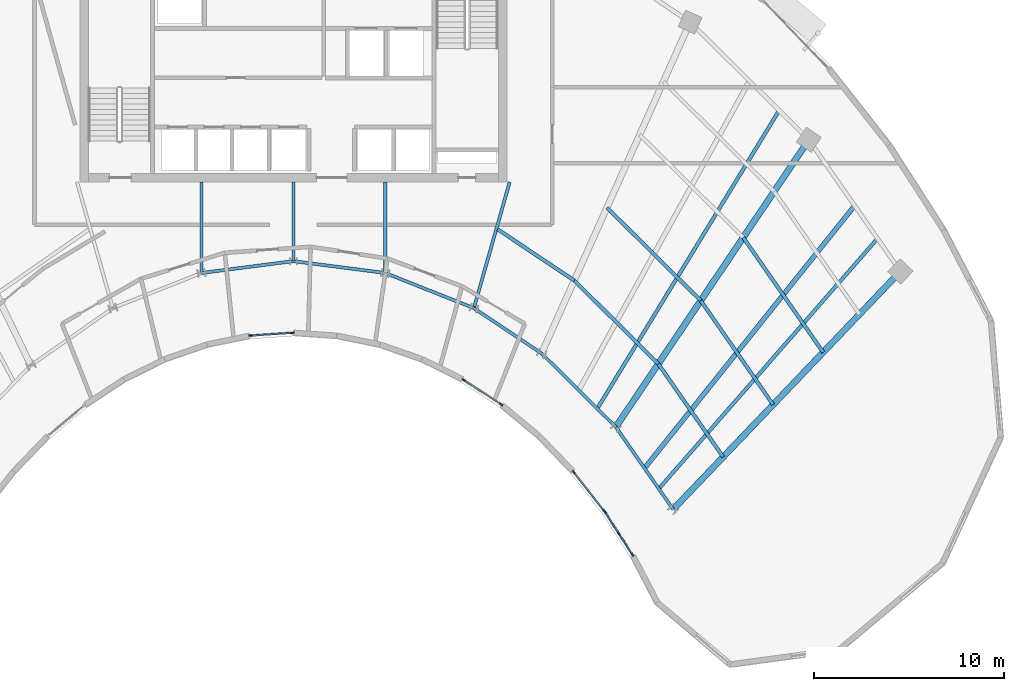
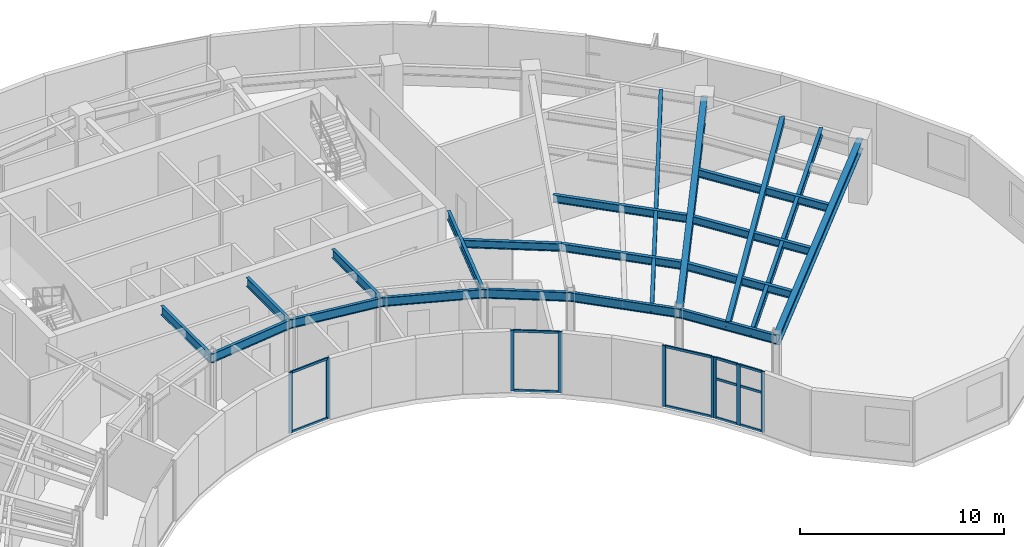
# One storey, part 3 of 13: 21 beams, 21 members, 4 elements without a shape of their own.
"""IFC4 building model written with IfcOpenShell, lengths in metres."""

from ifc_helpers import new_model, si_unit, direction, frame, origin, origin_2d, place, context, subcontext, project, spatial, rectangle, hollow_rectangle, i_section, extrude, source, transform, mapped, material, layer, layer_set, material_profile, profile_set, type_object, type_shapes, element, aggregate, save


model = new_model("IFC4")

# Units and contexts
model_context = context("Model", 3, precision=1e-05, world=origin(), true_north=direction((0.0, 1.0)))
body_context = subcontext(model_context, "Body", "Model", "MODEL_VIEW")
ifc_project = project(units=[si_unit("LENGTHUNIT", "METRE"), si_unit("AREAUNIT", "SQUARE_METRE"), si_unit("VOLUMEUNIT", "CUBIC_METRE"), si_unit("PLANEANGLEUNIT", "RADIAN"), si_unit("MASSUNIT", "GRAM", prefix="KILO")], contexts=[model_context])

# Site, building, storey
site_placement = place(None, origin())
site = spatial("IfcSite", under=ifc_project, at=site_placement, CompositionType="ELEMENT")
building_placement = place(site_placement, origin())
building = spatial("IfcBuilding", under=site, at=building_placement, Name="Breltana Convention Tower", CompositionType="ELEMENT")
storey_placement = place(building_placement, frame((0.0, 0.0, 223.5)))
storey = spatial("IfcBuildingStorey", under=building, at=storey_placement, Name="L54", CompositionType="ELEMENT", Elevation=223.5)

# Beams
ifc_material_1 = material(Name="Steel ASTM A992 Grade 50", Category="steel")
ifc_material_profile_1 = material_profile(ifc_material_1, i_section(OverallWidth=0.19091796875, OverallDepth=0.4599609375, WebThickness=0.010009765625, FlangeThickness=0.01611328125, at=origin_2d()), Name="W18X55")
ifc_profile_set_1 = profile_set([ifc_material_profile_1], Name="Steel ASTM A992 Grade 50")
beam_type_1 = type_object("IfcBeamType", Name="BM-JSG-07", PredefinedType="JOIST", material=ifc_profile_set_1)
shared_shape_1 = source(origin(), body_context, "Body", "SweptSolid", [
    extrude(i_section(OverallWidth=0.19091796875, OverallDepth=0.4599609375, WebThickness=0.010009765625, FlangeThickness=0.01611328125, at=origin_2d()), origin(), (0.0, 0.0, 1.0), 4.854736328125),
])
beam_1_placement = place(storey_placement, frame((58.767578125, 57.71240234375, 3.409912109375), z_axis=(0.831485074305, -0.555547091801, 0.0), x_axis=(0.555547091801, 0.831485074305, 0.0)))
element("IfcBeam", 1, at=beam_1_placement, inside=storey, type_object=beam_type_1, Name="L54 Composite Floor Joist 08.1", PredefinedType="JOIST", context=body_context, shape_type="MappedRepresentation", body=[
    mapped(shared_shape_1, transform((0.0, 0.0, 0.0), scale=1.0)),
])
shared_shape_2 = source(origin(), body_context, "Body", "SweptSolid", [
    extrude(i_section(OverallWidth=0.19091796875, OverallDepth=0.4599609375, WebThickness=0.010009765625, FlangeThickness=0.01611328125, at=origin_2d()), origin(), (0.0, 0.0, 1.0), 6.2373046875),
])
beam_2_placement = place(storey_placement, frame((62.80419921875, 55.015380859375, 3.409912109375), z_axis=(0.710114292485, -0.704086423394, 0.0), x_axis=(0.704086423394, 0.710114292485, 0.0)))
element("IfcBeam", 2, at=beam_2_placement, inside=storey, type_object=beam_type_1, Name="L54 Composite Floor Joist 09.1", PredefinedType="JOIST", context=body_context, shape_type="MappedRepresentation", body=[
    mapped(shared_shape_2, transform((0.0, 0.0, 0.0), scale=1.0)),
])
shared_shape_3 = source(origin(), body_context, "Body", "SweptSolid", [
    extrude(i_section(OverallWidth=0.19091796875, OverallDepth=0.4599609375, WebThickness=0.010009765625, FlangeThickness=0.01611328125, at=origin_2d()), origin(), (0.0, 0.0, 1.0), 6.963134765625),
])
beam_3_placement = place(storey_placement, frame((64.526611328125, 58.8564453125, 3.409912109375), z_axis=(0.71009817493, -0.704102678564, 0.0), x_axis=(0.704102678564, 0.71009817493, 0.0)))
element("IfcBeam", 3, at=beam_3_placement, inside=storey, type_object=beam_type_1, Name="L54 Composite Floor Joist 09.2", PredefinedType="JOIST", context=body_context, shape_type="MappedRepresentation", body=[
    mapped(shared_shape_3, transform((0.0, 0.0, 0.0), scale=1.0)),
])
shared_shape_4 = source(origin(), body_context, "Body", "SweptSolid", [
    extrude(i_section(OverallWidth=0.19091796875, OverallDepth=0.4599609375, WebThickness=0.010009765625, FlangeThickness=0.01611328125, at=origin_2d()), origin(), (0.0, 0.0, 1.0), 18.409423828125),
])
beam_4_placement = place(storey_placement, frame((64.017333984375, 48.263916015625, 3.409912109375), z_axis=(0.520682167606, 0.853750596098, 0.0), x_axis=(-0.853750596098, 0.520682167606, 0.0)))
element("IfcBeam", 4, at=beam_4_placement, inside=storey, type_object=beam_type_1, Name="L54 Quarter-Bay Radial Trimmer 09", PredefinedType="JOIST", context=body_context, shape_type="MappedRepresentation", body=[
    mapped(shared_shape_4, transform((0.0, 0.0, 0.0), scale=1.0)),
])
shared_shape_5 = source(origin(), body_context, "Body", "SweptSolid", [
    extrude(i_section(OverallWidth=0.19091796875, OverallDepth=0.4599609375, WebThickness=0.010009765625, FlangeThickness=0.01611328125, at=origin_2d()), origin(), (0.0, 0.0, 1.0), 5.982421875),
])
beam_5_placement = place(storey_placement, frame((67.2333984375, 50.623779296875, 3.409912109375), z_axis=(0.571211549446, -0.82080287876, 0.0), x_axis=(0.82080287876, 0.571211549446, 0.0)))
element("IfcBeam", 5, at=beam_5_placement, inside=storey, type_object=beam_type_1, Name="L54 Composite Floor Joist 10.1", PredefinedType="JOIST", context=body_context, shape_type="MappedRepresentation", body=[
    mapped(shared_shape_5, transform((0.0, 0.0, 0.0), scale=1.0)),
])
shared_shape_6 = source(origin(), body_context, "Body", "SweptSolid", [
    extrude(i_section(OverallWidth=0.19091796875, OverallDepth=0.4599609375, WebThickness=0.010009765625, FlangeThickness=0.01611328125, at=origin_2d()), origin(), (0.0, 0.0, 1.0), 6.677978515625),
])
beam_6_placement = place(storey_placement, frame((69.47119140625, 53.95361328125, 3.409912109375), z_axis=(0.571193018768, -0.820815774282, 0.0), x_axis=(0.820815774282, 0.571193018768, 0.0)))
element("IfcBeam", 6, at=beam_6_placement, inside=storey, type_object=beam_type_1, Name="L54 Composite Floor Joist 10.2", PredefinedType="JOIST", context=body_context, shape_type="MappedRepresentation", body=[
    mapped(shared_shape_6, transform((0.0, 0.0, 0.0), scale=1.0)),
])
shared_shape_7 = source(origin(), body_context, "Body", "SweptSolid", [
    extrude(i_section(OverallWidth=0.19091796875, OverallDepth=0.4599609375, WebThickness=0.010009765625, FlangeThickness=0.01611328125, at=origin_2d()), origin(), (0.0, 0.0, 1.0), 7.374267578125),
])
beam_7_placement = place(storey_placement, frame((71.70849609375, 57.28369140625, 3.409912109375), z_axis=(0.571229379406, -0.820790470281, 0.0), x_axis=(0.820790470281, 0.571229379406, 0.0)))
element("IfcBeam", 7, at=beam_7_placement, inside=storey, type_object=beam_type_1, Name="L54 Composite Floor Joist 10.3", PredefinedType="JOIST", context=body_context, shape_type="MappedRepresentation", body=[
    mapped(shared_shape_7, transform((0.0, 0.0, 0.0), scale=1.0)),
])
ifc_material_profile_2 = material_profile(ifc_material_1, hollow_rectangle(XDim=0.25, YDim=0.35009765625, WallThickness=0.011962890625, at=origin_2d()), Name="RHS350X250X12")
ifc_profile_set_2 = profile_set([ifc_material_profile_2], Name="Steel ASTM A992 Grade 50")
beam_type_2 = type_object("IfcBeamType", Name="BM-JSG-12", PredefinedType="JOIST", material=ifc_profile_set_2)
shared_shape_8 = source(origin(), body_context, "Body", "SweptSolid", [
    extrude(hollow_rectangle(XDim=0.25, YDim=0.35009765625, WallThickness=0.011962890625, at=origin_2d()), origin(), (0.0, 0.0, 1.0), 17.7236328125),
])
beam_8_placement = place(storey_placement, frame((66.505615234375, 45.124267578125, 3.465087890625), z_axis=(0.624829427563, 0.78076128647, 0.0), x_axis=(-0.78076128647, 0.624829427563, 0.0)))
element("IfcBeam", 8, at=beam_8_placement, inside=storey, type_object=beam_type_2, Name="L54 Mid-Bay Radial Trimmer 10", PredefinedType="JOIST", context=body_context, shape_type="MappedRepresentation", body=[
    mapped(shared_shape_8, transform((0.0, 0.0, 0.0), scale=1.0)),
])
shared_shape_9 = source(origin(), body_context, "Body", "SweptSolid", [
    extrude(i_section(OverallWidth=0.19091796875, OverallDepth=0.4599609375, WebThickness=0.010009765625, FlangeThickness=0.01611328125, at=origin_2d()), origin(), (0.0, 0.0, 1.0), 17.515625),
])
beam_9_placement = place(storey_placement, frame((67.260498046875, 44.03955078125, 3.409912109375), z_axis=(0.658051548324, 0.752972881151, 0.0), x_axis=(-0.752972881151, 0.658051548324, 0.0)))
element("IfcBeam", 9, at=beam_9_placement, inside=storey, type_object=beam_type_1, Name="L54 Quarter-Bay Radial Trimmer 10", PredefinedType="JOIST", context=body_context, shape_type="MappedRepresentation", body=[
    mapped(shared_shape_9, transform((0.0, 0.0, 0.0), scale=1.0)),
])
ifc_material_profile_3 = material_profile(ifc_material_1, i_section(OverallWidth=0.166015625, OverallDepth=0.534912109375, WebThickness=0.01025390625, FlangeThickness=0.0166015625, at=origin_2d()), Name="W21X57")
ifc_profile_set_3 = profile_set([ifc_material_profile_3], Name="Steel ASTM A992 Grade 50")
beam_type_3 = type_object("IfcBeamType", Name="BM-BM-W21X57", PredefinedType="BEAM", material=ifc_profile_set_3)
shared_shape_10 = source(origin(), body_context, "Body", "SweptSolid", [
    extrude(i_section(OverallWidth=0.166015625, OverallDepth=0.534912109375, WebThickness=0.01025390625, FlangeThickness=0.0166015625, at=origin_2d()), origin(), (0.0, 0.0, 1.0), 6.904541015625),
])
type_shapes(beam_type_3, [shared_shape_10])
beam_10_placement = place(storey_placement, frame((59.39990234375, 60.199951171875, 3.37255859375), z_axis=(-0.273006781054, -0.962012108811, 0.0), x_axis=(0.962012108811, -0.273006781054, 0.0)))
element("IfcBeam", 10, at=beam_10_placement, inside=storey, type_object=beam_type_3, Name="L54 South Core Tie Girder R08", PredefinedType="BEAM", context=body_context, shape_type="MappedRepresentation", body=[
    mapped(shared_shape_10, transform((0.0, 0.0, 0.0), scale=1.0)),
])
shared_shape_11 = source(origin(), body_context, "Body", "SweptSolid", [
    extrude(i_section(OverallWidth=0.166015625, OverallDepth=0.534912109375, WebThickness=0.01025390625, FlangeThickness=0.0166015625, at=origin_2d()), origin(), (0.0, 0.0, 1.0), 4.789306640625),
])
for number, where, z_axis, x_axis, name in (
    (11, (43.153564453125, 60.199951171875, 3.37255859375), (0.0, -1.0, 0.0), (1.0, 0.0, 0.0), "L54 South Core Tie Girder R05"),
    (12, (52.846435546875, 60.199951171875, 3.37255859375), (0.0, -1.0, 0.0), (1.0, 0.0, 0.0), "L54 South Core Tie Girder R07"),
):
    element("IfcBeam", number, at=place(storey_placement, frame(where, z_axis=z_axis, x_axis=x_axis)), inside=storey, type_object=beam_type_3, Name=name, PredefinedType="BEAM", context=body_context, shape_type="MappedRepresentation", body=[
        mapped(shared_shape_11, transform((0.0, 0.0, 0.0), scale=1.0)),
    ])
shared_shape_12 = source(origin(), body_context, "Body", "SweptSolid", [
    extrude(i_section(OverallWidth=0.166015625, OverallDepth=0.534912109375, WebThickness=0.01025390625, FlangeThickness=0.0166015625, at=origin_2d()), origin(), (0.0, 0.0, 1.0), 4.1640625),
])
beam_11_placement = place(storey_placement, frame((48.0, 60.199951171875, 3.37255859375), z_axis=(0.0, -1.0, 0.0), x_axis=(1.0, 0.0, 0.0)))
element("IfcBeam", 13, at=beam_11_placement, inside=storey, type_object=beam_type_3, Name="L54 South Core Tie Girder R06", PredefinedType="BEAM", context=body_context, shape_type="MappedRepresentation", body=[
    mapped(shared_shape_12, transform((0.0, 0.0, 0.0), scale=1.0)),
])
shared_shape_13 = source(origin(), body_context, "Body", "SweptSolid", [
    extrude(i_section(OverallWidth=0.166015625, OverallDepth=0.534912109375, WebThickness=0.01025390625, FlangeThickness=0.0166015625, at=origin_2d()), origin(), (0.0, 0.0, 1.0), 5.022705078125),
])
beam_12_placement = place(storey_placement, frame((52.846435546875, 55.41064453125, 3.37255859375), z_axis=(0.929458966248, -0.368925507469, 0.0), x_axis=(0.368925507469, 0.929458966248, 0.0)))
element("IfcBeam", 14, at=beam_12_placement, inside=storey, type_object=beam_type_3, Name="L54 Inner Ring Beam 07", PredefinedType="BEAM", context=body_context, shape_type="MappedRepresentation", body=[
    mapped(shared_shape_13, transform((0.0, 0.0, 0.0), scale=1.0)),
])
shared_shape_14 = source(origin(), body_context, "Body", "SweptSolid", [
    extrude(i_section(OverallWidth=0.166015625, OverallDepth=0.534912109375, WebThickness=0.01025390625, FlangeThickness=0.0166015625, at=origin_2d()), origin(), (0.0, 0.0, 1.0), 4.88671875),
])
for number, where, z_axis, x_axis, name in (
    (15, (43.153564453125, 55.41064453125, 3.37255859375), (0.991780525565, 0.127950729231, 0.0), (-0.127950729231, 0.991780525565, 0.0), "L54 Inner Ring Beam 05"),
    (16, (48.0, 56.035888671875, 3.37255859375), (0.991780525565, -0.127950729231, 0.0), (0.127950729231, 0.991780525565, 0.0), "L54 Inner Ring Beam 06"),
):
    element("IfcBeam", number, at=place(storey_placement, frame(where, z_axis=z_axis, x_axis=x_axis)), inside=storey, type_object=beam_type_3, Name=name, PredefinedType="BEAM", context=body_context, shape_type="MappedRepresentation", body=[
        mapped(shared_shape_14, transform((0.0, 0.0, 0.0), scale=1.0)),
    ])
shared_shape_15 = source(origin(), body_context, "Body", "SweptSolid", [
    extrude(i_section(OverallWidth=0.166015625, OverallDepth=0.534912109375, WebThickness=0.01025390625, FlangeThickness=0.0166015625, at=origin_2d()), origin(), (0.0, 0.0, 1.0), 4.2900390625),
])
beam_13_placement = place(storey_placement, frame((57.514892578125, 53.5576171875, 3.37255859375), z_axis=(0.831515827753, -0.555501060482, 0.0), x_axis=(0.555501060482, 0.831515827753, 0.0)))
element("IfcBeam", 17, at=beam_13_placement, inside=storey, type_object=beam_type_3, Name="L54 Inner Ring Beam 08", PredefinedType="BEAM", context=body_context, shape_type="MappedRepresentation", body=[
    mapped(shared_shape_15, transform((0.0, 0.0, 0.0), scale=1.0)),
])
shared_shape_16 = source(origin(), body_context, "Body", "SweptSolid", [
    extrude(i_section(OverallWidth=0.166015625, OverallDepth=0.534912109375, WebThickness=0.01025390625, FlangeThickness=0.0166015625, at=origin_2d()), origin(), (0.0, 0.0, 1.0), 5.51171875),
])
beam_14_placement = place(storey_placement, frame((61.08203125, 51.174560546875, 3.37255859375), z_axis=(0.710090360749, -0.704110559196, 0.0), x_axis=(0.704110559196, 0.710090360749, 0.0)))
element("IfcBeam", 18, at=beam_14_placement, inside=storey, type_object=beam_type_3, Name="L54 Inner Ring Beam 09", PredefinedType="BEAM", context=body_context, shape_type="MappedRepresentation", body=[
    mapped(shared_shape_16, transform((0.0, 0.0, 0.0), scale=1.0)),
])
shared_shape_17 = source(origin(), body_context, "Body", "SweptSolid", [
    extrude(i_section(OverallWidth=0.166015625, OverallDepth=0.534912109375, WebThickness=0.01025390625, FlangeThickness=0.0166015625, at=origin_2d()), origin(), (0.0, 0.0, 1.0), 5.286376953125),
])
beam_15_placement = place(storey_placement, frame((64.995849609375, 47.293701171875, 3.37255859375), z_axis=(0.571194382458, -0.82081482531, 0.0), x_axis=(0.82081482531, 0.571194382458, 0.0)))
element("IfcBeam", 19, at=beam_15_placement, inside=storey, type_object=beam_type_3, Name="L54 Inner Ring Beam 10", PredefinedType="BEAM", context=body_context, shape_type="MappedRepresentation", body=[
    mapped(shared_shape_17, transform((0.0, 0.0, 0.0), scale=1.0)),
])
ifc_material_profile_4 = material_profile(ifc_material_1, i_section(OverallWidth=0.326904296875, OverallDepth=0.6220703125, WebThickness=0.015380859375, FlangeThickness=0.0244140625, at=origin_2d()), Name="W24X131")
ifc_profile_set_4 = profile_set([ifc_material_profile_4], Name="Steel ASTM A992 Grade 50")
beam_type_4 = type_object("IfcBeamType", Name="BM-RG-W24X131", PredefinedType="USERDEFINED", material=ifc_profile_set_4)
shared_shape_18 = source(origin(), body_context, "Body", "SweptSolid", [
    extrude(i_section(OverallWidth=0.326904296875, OverallDepth=0.6220703125, WebThickness=0.015380859375, FlangeThickness=0.0244140625, at=origin_2d()), origin(), (0.0, 0.0, 1.0), 17.341064453125),
])
type_shapes(beam_type_4, [shared_shape_18])
beam_16_placement = place(storey_placement, frame((68.015380859375, 42.95458984375, 3.3291015625), z_axis=(0.690716462293, 0.723125693581, 0.0), x_axis=(-0.723125693581, 0.690716462293, 0.0)))
element("IfcBeam", 20, at=beam_16_placement, inside=storey, type_object=beam_type_4, Name="L54 Radial Floor Girder R11", ObjectType="GIRDER", PredefinedType="USERDEFINED", context=body_context, shape_type="MappedRepresentation", body=[
    mapped(shared_shape_18, transform((0.0, 0.0, 0.0), scale=1.0)),
])
shared_shape_19 = source(origin(), body_context, "Body", "SweptSolid", [
    extrude(i_section(OverallWidth=0.326904296875, OverallDepth=0.6220703125, WebThickness=0.015380859375, FlangeThickness=0.0244140625, at=origin_2d()), origin(), (0.0, 0.0, 1.0), 18.236328125),
])
beam_17_placement = place(storey_placement, frame((64.995849609375, 47.293701171875, 3.3291015625), z_axis=(0.557730360975, 0.830022195153, 0.0), x_axis=(-0.830022195153, 0.557730360975, 0.0)))
element("IfcBeam", 21, at=beam_17_placement, inside=storey, type_object=beam_type_4, Name="L54 Radial Floor Girder R10", ObjectType="GIRDER", PredefinedType="USERDEFINED", context=body_context, shape_type="MappedRepresentation", body=[
    mapped(shared_shape_19, transform((0.0, 0.0, 0.0), scale=1.0)),
])

# Curtain wall, members
ifc_material_2 = material(Name="Aluminium Anodised Bronze Frame", Category="aluminium")
ifc_layer = layer(ifc_material_2, 0.18994140625, Name="Aluminium Anodised Bronze Frame")
ifc_layer_set = layer_set([ifc_layer], Name="Aluminium Anodised Bronze Frame")
curtain_wall_type = type_object("IfcCurtainWallType", Name="CW-SYS-1", PredefinedType="NOTDEFINED", material=ifc_layer_set)
curtain_wall_1_placement = place(storey_placement, origin())
curtain_wall_1 = element("IfcCurtainWall", 22, at=curtain_wall_1_placement, inside=storey, type_object=curtain_wall_type, Name="L54 inner south-court glazing 1", PredefinedType="NOTDEFINED")
ifc_material_3 = material(Name="Aluminium Anodised Bronze", Category="aluminium")
ifc_material_profile_5 = material_profile(ifc_material_3, rectangle(XDim=0.080078125, YDim=0.139892578125, at=origin_2d()), Name="CWT-80X140")
ifc_profile_set_5 = profile_set([ifc_material_profile_5], Name="Aluminium Anodised Bronze")
member_type_1 = type_object("IfcMemberType", Name="CWT-140", PredefinedType="USERDEFINED", material=ifc_profile_set_5)
shared_shape_20 = source(origin(), body_context, "Body", "SweptSolid", [
    extrude(rectangle(XDim=0.080078125, YDim=0.139892578125, at=origin_2d()), origin(), (0.0, 0.0, 1.0), 1.251220703125),
])
member_1_placement = place(storey_placement, frame((65.84716796875, 40.6025390625, 0.0400390625), z_axis=(-0.540116397582, 0.841590326146, 0.0), x_axis=(-0.841590326146, -0.540116397582, 0.0)))
member_1 = element("IfcMember", 23, at=member_1_placement, type_object=member_type_1, Name="CW-01 transom 1.1", ObjectType="TRANSOM", PredefinedType="USERDEFINED", context=body_context, shape_type="MappedRepresentation", body=[
    mapped(shared_shape_20, transform((0.0, 0.0, 0.0), scale=1.0)),
])
member_2_placement = place(storey_placement, frame((65.84716796875, 40.6025390625, 2.365966796875), z_axis=(-0.540116397582, 0.841590326146, 0.0), x_axis=(-0.841590326146, -0.540116397582, 0.0)))
member_2 = element("IfcMember", 24, at=member_2_placement, type_object=member_type_1, Name="CW-01 transom 1.2", ObjectType="TRANSOM", PredefinedType="USERDEFINED", context=body_context, shape_type="MappedRepresentation", body=[
    mapped(shared_shape_20, transform((0.0, 0.0, 0.0), scale=1.0)),
])
member_3_placement = place(storey_placement, frame((65.84716796875, 40.6025390625, 3.60009765625), z_axis=(-0.540116397582, 0.841590326146, 0.0), x_axis=(-0.841590326146, -0.540116397582, 0.0)))
member_3 = element("IfcMember", 25, at=member_3_placement, type_object=member_type_1, Name="CW-01 transom 1.3", ObjectType="TRANSOM", PredefinedType="USERDEFINED", context=body_context, shape_type="MappedRepresentation", body=[
    mapped(shared_shape_20, transform((0.0, 0.0, 0.0), scale=1.0)),
])
shared_shape_21 = source(origin(), body_context, "Body", "SweptSolid", [
    extrude(rectangle(XDim=0.080078125, YDim=0.139892578125, at=origin_2d()), origin(), (0.0, 0.0, 1.0), 1.2509765625),
])
member_4_placement = place(storey_placement, frame((65.128173828125, 41.722900390625, 0.0400390625), z_axis=(-0.54020510624, 0.841533388044, 0.0), x_axis=(-0.841533388044, -0.54020510624, 0.0)))
member_4 = element("IfcMember", 26, at=member_4_placement, type_object=member_type_1, Name="CW-01 transom 2.1", ObjectType="TRANSOM", PredefinedType="USERDEFINED", context=body_context, shape_type="MappedRepresentation", body=[
    mapped(shared_shape_21, transform((0.0, 0.0, 0.0), scale=1.0)),
])
member_5_placement = place(storey_placement, frame((65.128173828125, 41.722900390625, 2.365966796875), z_axis=(-0.54020510624, 0.841533388044, 0.0), x_axis=(-0.841533388044, -0.54020510624, 0.0)))
member_5 = element("IfcMember", 27, at=member_5_placement, type_object=member_type_1, Name="CW-01 transom 2.2", ObjectType="TRANSOM", PredefinedType="USERDEFINED", context=body_context, shape_type="MappedRepresentation", body=[
    mapped(shared_shape_21, transform((0.0, 0.0, 0.0), scale=1.0)),
])
member_6_placement = place(storey_placement, frame((65.128173828125, 41.722900390625, 3.60009765625), z_axis=(-0.54020510624, 0.841533388044, 0.0), x_axis=(-0.841533388044, -0.54020510624, 0.0)))
member_6 = element("IfcMember", 28, at=member_6_placement, type_object=member_type_1, Name="CW-01 transom 2.3", ObjectType="TRANSOM", PredefinedType="USERDEFINED", context=body_context, shape_type="MappedRepresentation", body=[
    mapped(shared_shape_21, transform((0.0, 0.0, 0.0), scale=1.0)),
])

curtain_wall_2_placement = place(storey_placement, origin())
curtain_wall_2 = element("IfcCurtainWall", 29, at=curtain_wall_2_placement, inside=storey, type_object=curtain_wall_type, Name="L54 inner south-court glazing 2", PredefinedType="NOTDEFINED")
shared_shape_22 = source(origin(), body_context, "Body", "SweptSolid", [
    extrude(rectangle(XDim=0.080078125, YDim=0.139892578125, at=origin_2d()), origin(), (0.0, 0.0, 1.0), 2.505859375),
])
member_7_placement = place(storey_placement, frame((64.349853515625, 42.919921875, 0.0400390625), z_axis=(-0.618174316854, 0.786041038357, 0.0), x_axis=(-0.786041038357, -0.618174316854, 0.0)))
member_7 = element("IfcMember", 30, at=member_7_placement, type_object=member_type_1, Name="CW-01 transom 1.1", ObjectType="TRANSOM", PredefinedType="USERDEFINED", context=body_context, shape_type="MappedRepresentation", body=[
    mapped(shared_shape_22, transform((0.0, 0.0, 0.0), scale=1.0)),
])
member_8_placement = place(storey_placement, frame((64.349853515625, 42.919921875, 3.60009765625), z_axis=(-0.618174316854, 0.786041038357, 0.0), x_axis=(-0.786041038357, -0.618174316854, 0.0)))
member_8 = element("IfcMember", 31, at=member_8_placement, type_object=member_type_1, Name="CW-01 transom 1.2", ObjectType="TRANSOM", PredefinedType="USERDEFINED", context=body_context, shape_type="MappedRepresentation", body=[
    mapped(shared_shape_22, transform((0.0, 0.0, 0.0), scale=1.0)),
])

curtain_wall_3_placement = place(storey_placement, origin())
curtain_wall_3 = element("IfcCurtainWall", 32, at=curtain_wall_3_placement, inside=storey, type_object=curtain_wall_type, Name="L54 inner south-court glazing 3", PredefinedType="NOTDEFINED")
shared_shape_23 = source(origin(), body_context, "Body", "SweptSolid", [
    extrude(rectangle(XDim=0.080078125, YDim=0.139892578125, at=origin_2d()), origin(), (0.0, 0.0, 1.0), 2.2802734375),
])
member_9_placement = place(storey_placement, frame((58.916015625, 48.505615234375, 0.0400390625), z_axis=(-0.835998794371, 0.548731278324, 0.0), x_axis=(-0.548731278324, -0.835998794371, 0.0)))
member_9 = element("IfcMember", 33, at=member_9_placement, type_object=member_type_1, Name="CW-01 transom 1.1", ObjectType="TRANSOM", PredefinedType="USERDEFINED", context=body_context, shape_type="MappedRepresentation", body=[
    mapped(shared_shape_23, transform((0.0, 0.0, 0.0), scale=1.0)),
])
member_10_placement = place(storey_placement, frame((58.916015625, 48.505615234375, 3.60009765625), z_axis=(-0.835998794371, 0.548731278324, 0.0), x_axis=(-0.548731278324, -0.835998794371, 0.0)))
member_10 = element("IfcMember", 34, at=member_10_placement, type_object=member_type_1, Name="CW-01 transom 1.2", ObjectType="TRANSOM", PredefinedType="USERDEFINED", context=body_context, shape_type="MappedRepresentation", body=[
    mapped(shared_shape_23, transform((0.0, 0.0, 0.0), scale=1.0)),
])

curtain_wall_4_placement = place(storey_placement, origin())
curtain_wall_4 = element("IfcCurtainWall", 35, at=curtain_wall_4_placement, inside=storey, type_object=curtain_wall_type, Name="L54 inner south-court glazing 4", PredefinedType="NOTDEFINED")
shared_shape_24 = source(origin(), body_context, "Body", "SweptSolid", [
    extrude(rectangle(XDim=0.080078125, YDim=0.139892578125, at=origin_2d()), origin(), (0.0, 0.0, 1.0), 2.114013671875),
])
member_11_placement = place(storey_placement, frame((47.907958984375, 52.257080078125, 0.0400390625), z_axis=(-0.997707323694, -0.067676408344, 0.0), x_axis=(0.067676408344, -0.997707323694, 0.0)))
member_11 = element("IfcMember", 36, at=member_11_placement, type_object=member_type_1, Name="CW-01 transom 1.1", ObjectType="TRANSOM", PredefinedType="USERDEFINED", context=body_context, shape_type="MappedRepresentation", body=[
    mapped(shared_shape_24, transform((0.0, 0.0, 0.0), scale=1.0)),
])
member_12_placement = place(storey_placement, frame((47.907958984375, 52.257080078125, 3.60009765625), z_axis=(-0.997707323694, -0.067676408344, 0.0), x_axis=(0.067676408344, -0.997707323694, 0.0)))
member_12 = element("IfcMember", 37, at=member_12_placement, type_object=member_type_1, Name="CW-01 transom 1.2", ObjectType="TRANSOM", PredefinedType="USERDEFINED", context=body_context, shape_type="MappedRepresentation", body=[
    mapped(shared_shape_24, transform((0.0, 0.0, 0.0), scale=1.0)),
])

# Member
ifc_material_profile_6 = material_profile(ifc_material_3, rectangle(XDim=0.080078125, YDim=0.199951171875, at=origin_2d()), Name="CWM-80X200")
ifc_profile_set_6 = profile_set([ifc_material_profile_6], Name="Aluminium Anodised Bronze")
member_type_2 = type_object("IfcMemberType", Name="CWM-200", PredefinedType="MULLION", material=ifc_profile_set_6)
shared_shape_25 = source(origin(), body_context, "Body", "SweptSolid", [
    extrude(rectangle(XDim=0.080078125, YDim=0.199951171875, at=origin_2d()), origin(), (0.0, 0.0, 1.0), 3.639892578125),
])
member_13_placement = place(storey_placement, frame((65.868896484375, 40.56884765625, 0.0), z_axis=(0.0, 0.0, 1.0), x_axis=(-0.841546766968, -0.540184263938, 0.0)))
member_13 = element("IfcMember", 38, at=member_13_placement, type_object=member_type_2, Name="CW-01 mullion 1", PredefinedType="MULLION", context=body_context, shape_type="MappedRepresentation", body=[
    mapped(shared_shape_25, transform((0.0, 0.0, 0.0), scale=1.0)),
])

member_14_placement = place(storey_placement, frame((65.14990234375, 41.689208984375, 0.0), z_axis=(0.0, 0.0, 1.0), x_axis=(-0.841546766968, -0.540184263938, 0.0)))
member_14 = element("IfcMember", 39, at=member_14_placement, type_object=member_type_2, Name="CW-01 mullion 2", PredefinedType="MULLION", context=body_context, shape_type="MappedRepresentation", body=[
    mapped(shared_shape_25, transform((0.0, 0.0, 0.0), scale=1.0)),
])

member_15_placement = place(storey_placement, frame((64.430908203125, 42.809326171875, 0.0), z_axis=(0.0, 0.0, 1.0), x_axis=(-0.841546766968, -0.540184263938, 0.0)))
member_15 = element("IfcMember", 40, at=member_15_placement, type_object=member_type_2, Name="CW-01 mullion 3", PredefinedType="MULLION", context=body_context, shape_type="MappedRepresentation", body=[
    mapped(shared_shape_25, transform((0.0, 0.0, 0.0), scale=1.0)),
])

aggregate(curtain_wall_1, [member_13, member_14, member_15, member_1, member_2, member_3, member_4, member_5, member_6])

member_16_placement = place(storey_placement, frame((64.37451171875, 42.888427734375, 0.0), z_axis=(0.0, 0.0, 1.0), x_axis=(-0.786060526937, -0.6181495353, 0.0)))
member_16 = element("IfcMember", 41, at=member_16_placement, type_object=member_type_2, Name="CW-01 mullion 1", PredefinedType="MULLION", context=body_context, shape_type="MappedRepresentation", body=[
    mapped(shared_shape_25, transform((0.0, 0.0, 0.0), scale=1.0)),
])

member_17_placement = place(storey_placement, frame((62.776123046875, 44.921142578125, 0.0), z_axis=(0.0, 0.0, 1.0), x_axis=(-0.786060526937, -0.6181495353, 0.0)))
member_17 = element("IfcMember", 42, at=member_17_placement, type_object=member_type_2, Name="CW-01 mullion 2", PredefinedType="MULLION", context=body_context, shape_type="MappedRepresentation", body=[
    mapped(shared_shape_25, transform((0.0, 0.0, 0.0), scale=1.0)),
])

aggregate(curtain_wall_2, [member_16, member_17, member_7, member_8])

member_18_placement = place(storey_placement, frame((58.949462890625, 48.483642578125, 0.0), z_axis=(0.0, 0.0, 1.0), x_axis=(-0.548756690502, -0.835982113821, 0.0)))
member_18 = element("IfcMember", 43, at=member_18_placement, type_object=member_type_2, Name="CW-01 mullion 1", PredefinedType="MULLION", context=body_context, shape_type="MappedRepresentation", body=[
    mapped(shared_shape_25, transform((0.0, 0.0, 0.0), scale=1.0)),
])

member_19_placement = place(storey_placement, frame((56.976318359375, 49.77880859375, 0.0), z_axis=(0.0, 0.0, 1.0), x_axis=(-0.548756690502, -0.835982113821, 0.0)))
member_19 = element("IfcMember", 44, at=member_19_placement, type_object=member_type_2, Name="CW-01 mullion 2", PredefinedType="MULLION", context=body_context, shape_type="MappedRepresentation", body=[
    mapped(shared_shape_25, transform((0.0, 0.0, 0.0), scale=1.0)),
])

aggregate(curtain_wall_3, [member_18, member_19, member_9, member_10])

member_20_placement = place(storey_placement, frame((47.947998046875, 52.260009765625, 0.0), z_axis=(0.0, 0.0, 1.0), x_axis=(0.067724435121, -0.997704064785, 0.0)))
member_20 = element("IfcMember", 45, at=member_20_placement, type_object=member_type_2, Name="CW-01 mullion 1", PredefinedType="MULLION", context=body_context, shape_type="MappedRepresentation", body=[
    mapped(shared_shape_25, transform((0.0, 0.0, 0.0), scale=1.0)),
])

member_21_placement = place(storey_placement, frame((45.759033203125, 52.111328125, 0.0), z_axis=(0.0, 0.0, 1.0), x_axis=(0.067724435121, -0.997704064785, 0.0)))
member_21 = element("IfcMember", 46, at=member_21_placement, type_object=member_type_2, Name="CW-01 mullion 2", PredefinedType="MULLION", context=body_context, shape_type="MappedRepresentation", body=[
    mapped(shared_shape_25, transform((0.0, 0.0, 0.0), scale=1.0)),
])

aggregate(curtain_wall_4, [member_20, member_21, member_11, member_12])

save(model, "model.ifc")
